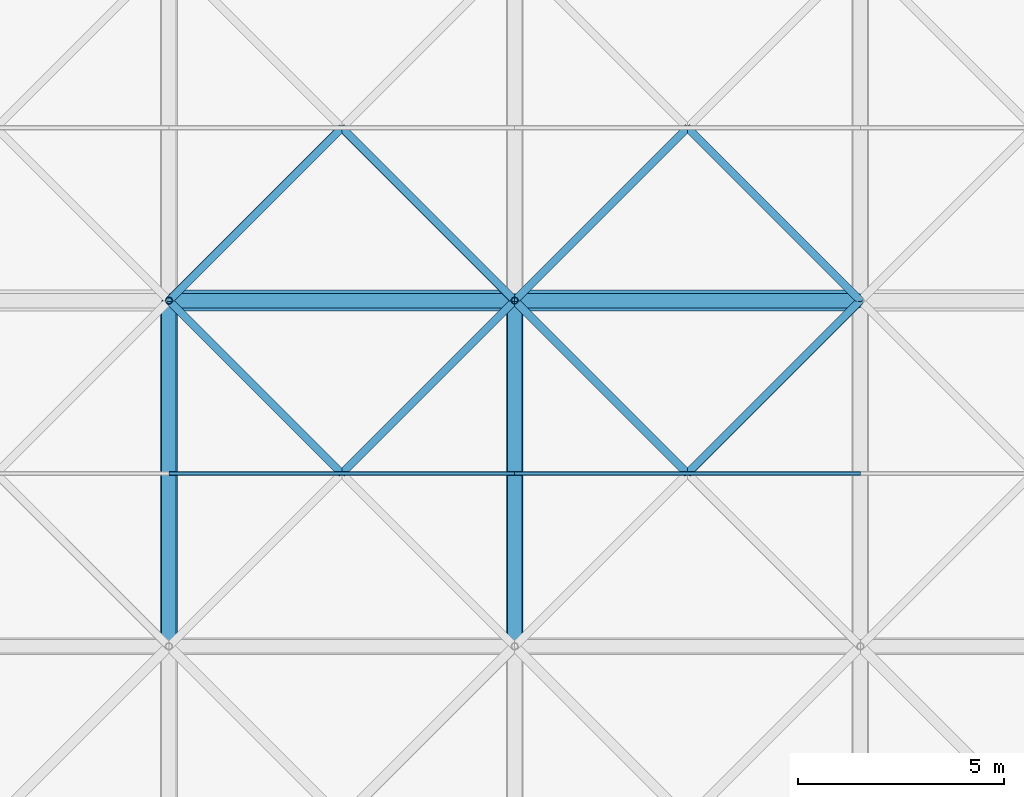
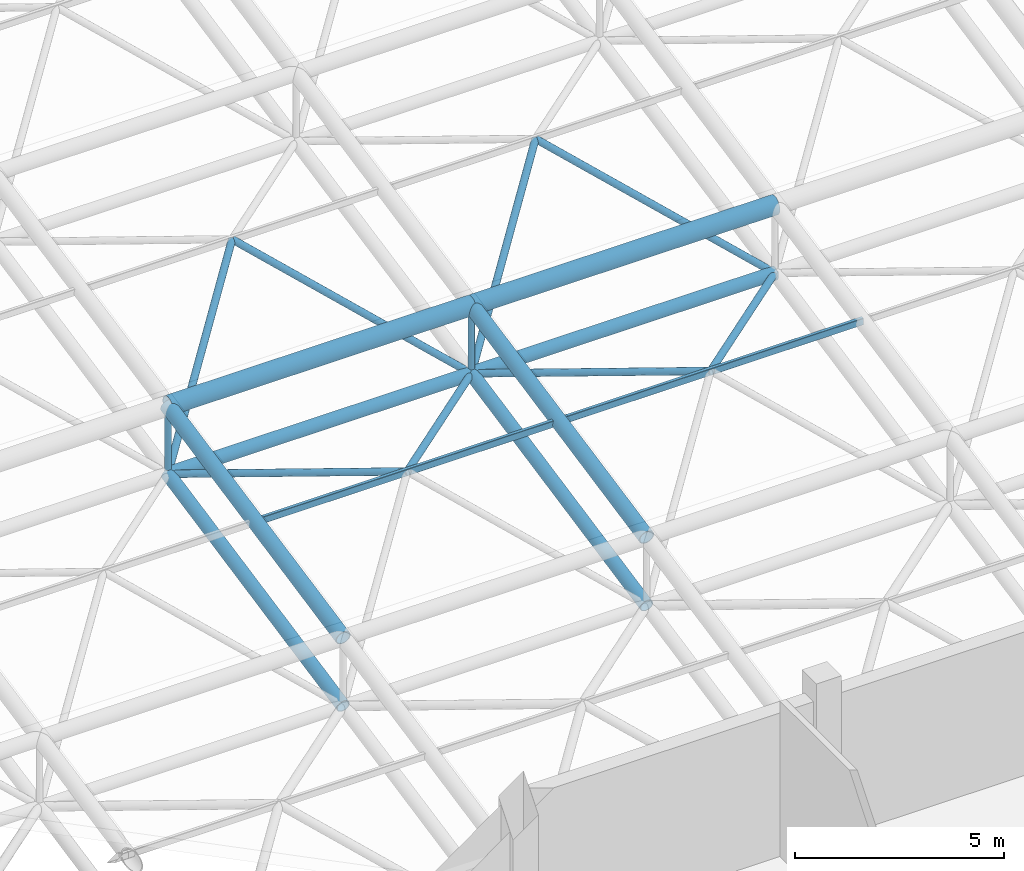
# One storey, part 31 of 110: 20 members.
"""IFC4 building model written with IfcOpenShell, lengths in metres."""

from ifc_helpers import new_model, si_unit, direction, frame, origin, origin_2d, place, context, subcontext, project, spatial, hollow_rectangle, hollow_circle, extrude, material, material_profile, profile_set, type_object, element, save


model = new_model("IFC4")

# Units and contexts
model_context = context("Model", 3, precision=1e-05, world=origin(), true_north=direction((0.0, 1.0)))
body_context = subcontext(model_context, "Body", "Model", "MODEL_VIEW")
ifc_project = project(units=[si_unit("LENGTHUNIT", "METRE"), si_unit("AREAUNIT", "SQUARE_METRE"), si_unit("VOLUMEUNIT", "CUBIC_METRE"), si_unit("PLANEANGLEUNIT", "RADIAN"), si_unit("MASSUNIT", "GRAM", prefix="KILO")], contexts=[model_context])

# Site, building, storey
site_placement = place(None, origin())
site = spatial("IfcSite", under=ifc_project, at=site_placement, CompositionType="ELEMENT")
building_placement = place(site_placement, origin())
building = spatial("IfcBuilding", under=site, at=building_placement, Name="Qawsi Khor Wholesale Market", CompositionType="ELEMENT")
storey_placement = place(building_placement, frame((0.0, 0.0, 11.39990234375)))
storey = spatial("IfcBuildingStorey", under=building, at=storey_placement, Name="L02", CompositionType="ELEMENT", Elevation=11.39990234375)

# Members
ifc_material = material(Name="Steel S355", Category="steel")
ifc_material_profile_1 = material_profile(ifc_material, hollow_circle(Radius=0.177734375, WallThickness=0.01611328125, at=origin_2d()), Name="CHS 355.6x16.0")
ifc_profile_set_1 = profile_set([ifc_material_profile_1], Name="Steel S355")
member_type_1 = type_object("IfcMemberType", Name="Space-Frame Bottom Chord CHS 355.6x16.0", PredefinedType="CHORD", material=ifc_profile_set_1)
member_1_placement = place(storey_placement, frame((176.39990234375, 50.39990234375, 1.670166015625), z_axis=(0.0, 0.98013111127, 0.198350711418), x_axis=(-1.0, 0.0, 0.0)))
element("IfcMember", 1, at=member_1_placement, inside=storey, type_object=member_type_1, Name="Space frame bottom chord Y EH (21,6)", PredefinedType="CHORD", context=body_context, shape_type="SweptSolid", body=[
    extrude(hollow_circle(Radius=0.177734375, WallThickness=0.01611328125, at=origin_2d()), origin(), (0.0, 0.0, 1.0), 8.5703125),
])
member_2_placement = place(storey_placement, frame((176.39990234375, 58.800048828125, 3.3701171875), z_axis=(1.0, 0.0, 0.0), x_axis=(0.0, 1.0, 0.0)))
element("IfcMember", 2, at=member_2_placement, inside=storey, type_object=member_type_1, Name="Space frame bottom chord X EH (21,7)", PredefinedType="CHORD", context=body_context, shape_type="SweptSolid", body=[
    extrude(hollow_circle(Radius=0.177734375, WallThickness=0.01611328125, at=origin_2d()), origin(), (0.0, 0.0, 1.0), 8.400146484375),
])
member_3_placement = place(storey_placement, frame((184.800048828125, 50.39990234375, 1.670166015625), z_axis=(0.0, 0.98013111127, 0.198350711418), x_axis=(-1.0, 0.0, 0.0)))
element("IfcMember", 3, at=member_3_placement, inside=storey, type_object=member_type_1, Name="Space frame bottom chord Y EH (22,6)", PredefinedType="CHORD", context=body_context, shape_type="SweptSolid", body=[
    extrude(hollow_circle(Radius=0.177734375, WallThickness=0.01611328125, at=origin_2d()), origin(), (0.0, 0.0, 1.0), 8.5703125),
])
member_4_placement = place(storey_placement, frame((184.800048828125, 58.800048828125, 3.3701171875), z_axis=(1.0, 0.0, 0.0), x_axis=(0.0, 1.0, 0.0)))
element("IfcMember", 4, at=member_4_placement, inside=storey, type_object=member_type_1, Name="Space frame bottom chord X EH (22,7)", PredefinedType="CHORD", context=body_context, shape_type="SweptSolid", body=[
    extrude(hollow_circle(Radius=0.177734375, WallThickness=0.01611328125, at=origin_2d()), origin(), (0.0, 0.0, 1.0), 8.39990234375),
])
ifc_material_profile_2 = material_profile(ifc_material, hollow_circle(Radius=0.25390625, WallThickness=0.02490234375, at=origin_2d()), Name="CHS 508.0x25.0")
ifc_profile_set_2 = profile_set([ifc_material_profile_2], Name="Steel S355")
member_type_2 = type_object("IfcMemberType", Name="Space-Frame Main Chord CHS 508.0x25.0", PredefinedType="CHORD", material=ifc_profile_set_2)
member_5_placement = place(storey_placement, frame((176.39990234375, 58.800048828125, 5.3701171875), z_axis=(1.0, 0.0, 0.0), x_axis=(0.0, 1.0, 0.0)))
element("IfcMember", 5, at=member_5_placement, inside=storey, type_object=member_type_2, Name="Space frame top chord X EH (21,7)", PredefinedType="CHORD", context=body_context, shape_type="SweptSolid", body=[
    extrude(hollow_circle(Radius=0.25390625, WallThickness=0.02490234375, at=origin_2d()), origin(), (0.0, 0.0, 1.0), 8.400146484375),
])
member_6_placement = place(storey_placement, frame((184.800048828125, 58.800048828125, 5.3701171875), z_axis=(1.0, 0.0, 0.0), x_axis=(0.0, 1.0, 0.0)))
element("IfcMember", 6, at=member_6_placement, inside=storey, type_object=member_type_2, Name="Space frame top chord X EH (22,7)", PredefinedType="CHORD", context=body_context, shape_type="SweptSolid", body=[
    extrude(hollow_circle(Radius=0.25390625, WallThickness=0.02490234375, at=origin_2d()), origin(), (0.0, 0.0, 1.0), 8.39990234375),
])
ifc_material_profile_3 = material_profile(ifc_material, hollow_rectangle(XDim=0.10009765625, YDim=0.199951171875, WallThickness=0.008056640625, InnerFilletRadius=0.008056640625, OuterFilletRadius=0.01611328125, at=origin_2d()), Name="RHS 200x100x8.0")
ifc_profile_set_3 = profile_set([ifc_material_profile_3], Name="Steel S355")
member_type_3 = type_object("IfcMemberType", Name="Space-Frame Purlin RHS 200x100x8.0", PredefinedType="PURLIN", material=ifc_profile_set_3)
member_7_placement = place(storey_placement, frame((176.39990234375, 54.60009765625, 4.52001953125), z_axis=(1.0, 0.0, 0.0), x_axis=(0.0, 1.0, 0.0)))
element("IfcMember", 7, at=member_7_placement, inside=storey, type_object=member_type_3, Name="Space frame purlin EH (21,6)", PredefinedType="PURLIN", context=body_context, shape_type="SweptSolid", body=[
    extrude(hollow_rectangle(XDim=0.10009765625, YDim=0.199951171875, WallThickness=0.008056640625, InnerFilletRadius=0.008056640625, OuterFilletRadius=0.01611328125, at=origin_2d()), origin(), (0.0, 0.0, 1.0), 8.400146484375),
])
member_8_placement = place(storey_placement, frame((184.800048828125, 54.60009765625, 4.52001953125), z_axis=(1.0, 0.0, 0.0), x_axis=(0.0, 1.0, 0.0)))
element("IfcMember", 8, at=member_8_placement, inside=storey, type_object=member_type_3, Name="Space frame purlin EH (22,6)", PredefinedType="PURLIN", context=body_context, shape_type="SweptSolid", body=[
    extrude(hollow_rectangle(XDim=0.10009765625, YDim=0.199951171875, WallThickness=0.008056640625, InnerFilletRadius=0.008056640625, OuterFilletRadius=0.01611328125, at=origin_2d()), origin(), (0.0, 0.0, 1.0), 8.39990234375),
])
ifc_material_profile_4 = material_profile(ifc_material, hollow_circle(Radius=0.096923828125, WallThickness=0.008056640625, at=origin_2d()), Name="CHS 193.7x8.0")
ifc_profile_set_4 = profile_set([ifc_material_profile_4], Name="Steel S355")
member_type_4 = type_object("IfcMemberType", Name="Space-Frame Secondary Diagonal CHS 193.7x8.0", PredefinedType="RAFTER", material=ifc_profile_set_4)
member_9_placement = place(storey_placement, frame((184.800048828125, 58.800048828125, 3.3701171875), z_axis=(-0.694216714393, -0.694216714393, 0.190069216113), x_axis=(0.707106781187, -0.707106781187, 0.0)))
element("IfcMember", 9, at=member_9_placement, inside=storey, type_object=member_type_4, Name="Space frame diagonal EH (21,6)-3", PredefinedType="RAFTER", context=body_context, shape_type="SweptSolid", body=[
    extrude(hollow_circle(Radius=0.096923828125, WallThickness=0.008056640625, at=origin_2d()), origin(), (0.0, 0.0, 1.0), 6.0498046875),
])
member_10_placement = place(storey_placement, frame((176.39990234375, 58.800048828125, 3.3701171875), z_axis=(0.694237619642, -0.694197266374, 0.19006389145), x_axis=(0.70708622964, 0.707127332136, 0.0)))
element("IfcMember", 10, at=member_10_placement, inside=storey, type_object=member_type_4, Name="Space frame diagonal EH (21,6)-4", PredefinedType="RAFTER", context=body_context, shape_type="SweptSolid", body=[
    extrude(hollow_circle(Radius=0.096923828125, WallThickness=0.008056640625, at=origin_2d()), origin(), (0.0, 0.0, 1.0), 6.050048828125),
])
for number, where, z_axis, x_axis, name in (
    (11, (176.39990234375, 58.800048828125, 3.3701171875), (0.637533737254, 0.637496679957, 0.432606884951), (-0.70708622964, 0.707127332136, 0.0), "Space frame diagonal EH (21,7)-1"),
    (12, (184.800048828125, 58.800048828125, 3.3701171875), (-0.637511741089, 0.637511741089, 0.432617105474), (-0.707106781187, -0.707106781187, 0.0), "Space frame diagonal EH (21,7)-2"),
):
    element("IfcMember", number, at=place(storey_placement, frame(where, z_axis=z_axis, x_axis=x_axis)), inside=storey, type_object=member_type_4, Name=name, PredefinedType="RAFTER", context=body_context, shape_type="SweptSolid", body=[
        extrude(hollow_circle(Radius=0.096923828125, WallThickness=0.008056640625, at=origin_2d()), origin(), (0.0, 0.0, 1.0), 6.588134765625),
    ])
for number, where, z_axis, x_axis, name in (
    (13, (193.199951171875, 58.800048828125, 3.3701171875), (-0.694216714393, -0.694216714393, 0.190069216113), (0.707106781187, -0.707106781187, 0.0), "Space frame diagonal EH (22,6)-3"),
    (14, (184.800048828125, 58.800048828125, 3.3701171875), (0.694216714393, -0.694216714393, 0.190069216113), (0.707106781187, 0.707106781187, 0.0), "Space frame diagonal EH (22,6)-4"),
):
    element("IfcMember", number, at=place(storey_placement, frame(where, z_axis=z_axis, x_axis=x_axis)), inside=storey, type_object=member_type_4, Name=name, PredefinedType="RAFTER", context=body_context, shape_type="SweptSolid", body=[
        extrude(hollow_circle(Radius=0.096923828125, WallThickness=0.008056640625, at=origin_2d()), origin(), (0.0, 0.0, 1.0), 6.0498046875),
    ])
for number, where, z_axis, x_axis, name in (
    (15, (184.800048828125, 58.800048828125, 3.3701171875), (0.637511741089, 0.637511741089, 0.432617105474), (-0.707106781187, 0.707106781187, 0.0), "Space frame diagonal EH (22,7)-1"),
    (16, (193.199951171875, 58.800048828125, 3.3701171875), (-0.637511741089, 0.637511741089, 0.432617105474), (-0.707106781187, -0.707106781187, 0.0), "Space frame diagonal EH (22,7)-2"),
):
    element("IfcMember", number, at=place(storey_placement, frame(where, z_axis=z_axis, x_axis=x_axis)), inside=storey, type_object=member_type_4, Name=name, PredefinedType="RAFTER", context=body_context, shape_type="SweptSolid", body=[
        extrude(hollow_circle(Radius=0.096923828125, WallThickness=0.008056640625, at=origin_2d()), origin(), (0.0, 0.0, 1.0), 6.588134765625),
    ])
ifc_material_profile_5 = material_profile(ifc_material, hollow_circle(Radius=0.203125, WallThickness=0.02001953125, at=origin_2d()), Name="CHS 406.4x20.0")
ifc_profile_set_5 = profile_set([ifc_material_profile_5], Name="Steel S355")
member_type_5 = type_object("IfcMemberType", Name="Space-Frame Top Chord CHS 406.4x20.0", PredefinedType="CHORD", material=ifc_profile_set_5)
for number, where, z_axis, x_axis, name in (
    (17, (176.39990234375, 50.39990234375, 3.670166015625), (0.0, 0.98013111127, 0.198350711418), (-1.0, 0.0, 0.0), "Space frame top chord Y EH (21,6)"),
    (18, (184.800048828125, 50.39990234375, 3.670166015625), (0.0, 0.98013111127, 0.198350711418), (-1.0, 0.0, 0.0), "Space frame top chord Y EH (22,6)"),
):
    element("IfcMember", number, at=place(storey_placement, frame(where, z_axis=z_axis, x_axis=x_axis)), inside=storey, type_object=member_type_5, Name=name, PredefinedType="CHORD", context=body_context, shape_type="SweptSolid", body=[
        extrude(hollow_circle(Radius=0.203125, WallThickness=0.02001953125, at=origin_2d()), origin(), (0.0, 0.0, 1.0), 8.5703125),
    ])
ifc_material_profile_6 = material_profile(ifc_material, hollow_circle(Radius=0.084228515625, WallThickness=0.008056640625, at=origin_2d()), Name="CHS 168.3x8.0")
ifc_profile_set_6 = profile_set([ifc_material_profile_6], Name="Steel S355")
member_type_6 = type_object("IfcMemberType", Name="Space-Frame Vertical Strut CHS 168.3x8.0", PredefinedType="STRUT", material=ifc_profile_set_6)
for number, where, z_axis, x_axis, name in (
    (19, (176.39990234375, 58.800048828125, 3.3701171875), (0.0, 0.0, 1.0), (1.0, 0.0, 0.0), "Space frame post EH (21,7)"),
    (20, (184.800048828125, 58.800048828125, 3.3701171875), (0.0, 0.0, 1.0), (1.0, 0.0, 0.0), "Space frame post EH (22,7)"),
):
    element("IfcMember", number, at=place(storey_placement, frame(where, z_axis=z_axis, x_axis=x_axis)), inside=storey, type_object=member_type_6, Name=name, PredefinedType="STRUT", context=body_context, shape_type="SweptSolid", body=[
        extrude(hollow_circle(Radius=0.084228515625, WallThickness=0.008056640625, at=origin_2d()), origin(), (0.0, 0.0, 1.0), 2.0),
    ])

save(model, "model.ifc")
